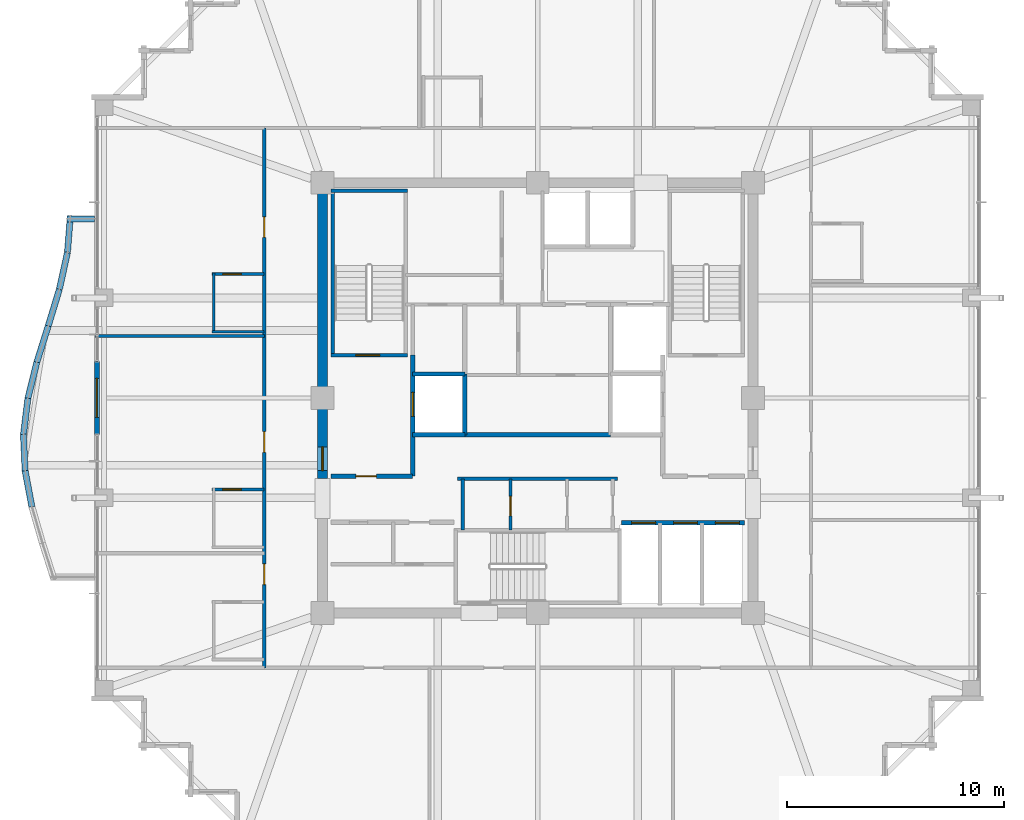
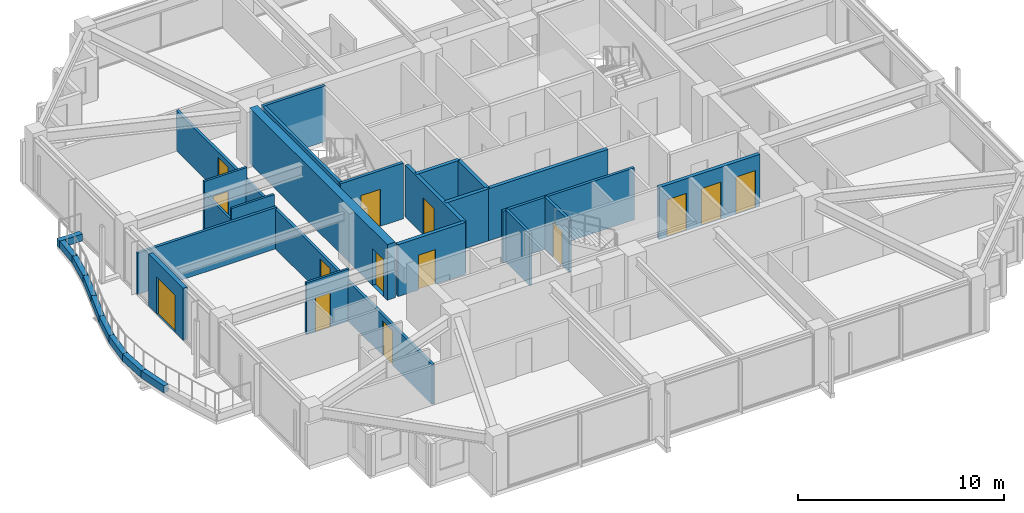
# One storey, part 28 of 33: 30 walls, 14 doors, 14 openings.
"""IFC4 building model written with IfcOpenShell, lengths in metres."""

import ifcopenshell
import ifcopenshell.guid

model = None  # the IFC model being written
_history = None  # IfcOwnerHistory: only IFC2X3 demands one
_inside = {}  # id of a spatial element -> (the spatial element, [elements in it])
_under = {}  # id of a project, library or spatial element -> (it, [spatial elements below it])
_declared = {}  # id of a project -> (the project, [libraries it declares])
_typed = {}  # id of a type object -> (the type object, [elements of that type])
_made_of = {}  # id of a material, layer set ... -> (it, [elements and type objects made of it])


def new_model(schema):
    """Start an empty IFC model of exactly this schema.

    Asked for "IFC4X3", IfcOpenShell would pick the latest addendum, in which some entities
    have other attributes; the version numbers below select the first issue.
    IFC2X3 requires an IfcOwnerHistory on every rooted entity: one is made here for all.
    """
    global model, _history
    if schema == "IFC4X3":
        model = ifcopenshell.file(schema_version=(4, 3, 0, 0))
    else:
        model = ifcopenshell.file(schema=schema)
    _inside.clear()
    _under.clear()
    _declared.clear()
    _typed.clear()
    _made_of.clear()
    _history = None
    if model.schema == "IFC2X3":
        org = make("IfcOrganization", Name="unknown")
        user = make(
            "IfcPersonAndOrganization",
            ThePerson=make("IfcPerson", FamilyName="unknown"),
            TheOrganization=org,
        )
        app = make(
            "IfcApplication",
            ApplicationDeveloper=org,
            Version="unknown",
            ApplicationFullName="unknown",
            ApplicationIdentifier="unknown",
        )
        _history = make(
            "IfcOwnerHistory",
            OwningUser=user,
            OwningApplication=app,
            ChangeAction="ADDED",
            CreationDate=0,
        )
    return model


def make(cls, **values):
    """One entity of the class cls with the attributes given. An attribute that is None is left unset."""
    return model.create_entity(
        cls, **{name: value for name, value in values.items() if value is not None}
    )


def rooted(cls, **values):
    """An entity with a GlobalId (a new one), such as an element, a storey or a relation."""
    return make(cls, GlobalId=ifcopenshell.guid.new(), OwnerHistory=_history, **values)


def si_unit(unit_type, name, prefix=None):
    """IfcSIUnit, for example si_unit("LENGTHUNIT", "METRE", prefix="MILLI")."""
    return make("IfcSIUnit", UnitType=unit_type, Prefix=prefix, Name=name)


def assignment(units):
    """IfcUnitAssignment: the units of a project."""
    return None if units is None else make("IfcUnitAssignment", Units=units)


def point(xyz):
    """IfcCartesianPoint."""
    return None if xyz is None else make("IfcCartesianPoint", Coordinates=xyz)


def direction(xyz):
    """IfcDirection."""
    return None if xyz is None else make("IfcDirection", DirectionRatios=xyz)


def frame(location, z_axis=None, x_axis=None):
    """IfcAxis2Placement3D, a coordinate frame: its origin and axes. An axis left out is left unset."""
    return make(
        "IfcAxis2Placement3D",
        Location=point(location),
        Axis=direction(z_axis),
        RefDirection=direction(x_axis),
    )


def frame_2d(location, x_axis=None):
    """IfcAxis2Placement2D, a coordinate frame in the plane: its origin and x axis."""
    return make(
        "IfcAxis2Placement2D", Location=point(location), RefDirection=direction(x_axis)
    )


def origin():
    """The frame at (0, 0, 0) with its axes left unset."""
    return frame((0.0, 0.0, 0.0))


def place(relative_to, where):
    """IfcLocalPlacement: puts the frame where relative to a parent placement (None: the world)."""
    return make(
        "IfcLocalPlacement", PlacementRelTo=relative_to, RelativePlacement=where
    )


def context(
    kind, dimensions, precision=None, world=None, true_north=None, identifier=None
):
    """IfcGeometricRepresentationContext, for example the 3D "Model" context."""
    return make(
        "IfcGeometricRepresentationContext",
        ContextIdentifier=identifier,
        ContextType=kind,
        CoordinateSpaceDimension=dimensions,
        Precision=precision,
        WorldCoordinateSystem=world,
        TrueNorth=true_north,
    )


def subcontext(parent, identifier, kind, view, scale=None):
    """IfcGeometricRepresentationSubContext, for example "Body" below "Model"."""
    return make(
        "IfcGeometricRepresentationSubContext",
        ContextIdentifier=identifier,
        ContextType=kind,
        ParentContext=parent,
        TargetScale=scale,
        TargetView=view,
    )


def project(units=None, contexts=None):
    """IfcProject with its units and contexts."""
    return rooted(
        "IfcProject",
        Name="project",
        RepresentationContexts=contexts,
        UnitsInContext=assignment(units),
    )


def spatial(cls, under=None, at=None, **own):
    """A site, building, storey or space (cls), placed at a placement, below another one or the project."""
    s = rooted(cls, ObjectPlacement=at, **own)
    if under is not None:
        _under.setdefault(under.id(), (under, []))[1].append(s)
    return s


def profile(cls, at=None, kind="AREA", **sizes):
    """A parametric profile (cls). Its sizes go by their IFC names, for example OverallWidth=200.0."""
    return make(cls, ProfileType=kind, Position=at, **sizes)


def rectangle(**sizes):
    """IfcRectangleProfileDef."""
    return profile("IfcRectangleProfileDef", **sizes)


def extrude(swept, where, along, depth):
    """IfcExtrudedAreaSolid: the profile swept, set in the frame where, extruded along a direction by depth."""
    return make(
        "IfcExtrudedAreaSolid",
        SweptArea=swept,
        Position=where,
        ExtrudedDirection=direction(along),
        Depth=depth,
    )


def shape(context_of_items, identifier, shape_type, items):
    """IfcShapeRepresentation: the items that make up one representation, for example the "Body"."""
    return make(
        "IfcShapeRepresentation",
        ContextOfItems=context_of_items,
        RepresentationIdentifier=identifier,
        RepresentationType=shape_type,
        Items=items,
    )


def material(Name=None, Category=None):
    """IfcMaterial."""
    return make("IfcMaterial", Name=Name, Category=Category)


def layer(
    of_material, thickness, ventilated=None, Name=None, Category=None, Priority=None
):
    """IfcMaterialLayer: one layer of a wall or slab, of a material (None: an air gap)."""
    return make(
        "IfcMaterialLayer",
        Material=of_material,
        LayerThickness=thickness,
        IsVentilated=ventilated,
        Name=Name,
        Category=Category,
        Priority=Priority,
    )


def layer_set(layers, Name=None):
    """IfcMaterialLayerSet."""
    return make("IfcMaterialLayerSet", MaterialLayers=layers, LayerSetName=Name)


def made_of(thing, what):
    """Note that an element or type object is made of a material, layer set ...; save() writes the relation."""
    if what is not None:
        _made_of.setdefault(what.id(), (what, []))[1].append(thing)
    return thing


def type_object(cls, material=None, **own):
    """A type object (cls), such as IfcWallType, which elements share."""
    return made_of(rooted(cls, **own), material)


def element(
    cls,
    number,
    at=None,
    inside=None,
    cuts=None,
    type_object=None,
    material=None,
    context=None,
    identifier="Body",
    shape_type=None,
    held_by="IfcProductDefinitionShape",
    body=None,
    shapes=None,
    **own,
):
    """One element of the class cls, such as IfcWall. Its Tag is "e" and its number.

    at: its placement. inside: the storey or other place that contains it. cuts: it is an
    opening in that element (IfcRelVoidsElement). A single representation is given by context,
    identifier, shape_type and body (its items); several are given by shapes. held_by: the class
    of the entity that holds the representations. save() writes the other relations.
    """
    e = rooted(cls, Tag="e%d" % number, ObjectPlacement=at, **own)
    if body is not None:
        shapes = [shape(context, identifier, shape_type, body)]
    if shapes is not None:
        e.Representation = make(held_by, Representations=shapes)
    if inside is not None:
        _inside.setdefault(inside.id(), (inside, []))[1].append(e)
    if cuts is not None:
        rooted(
            "IfcRelVoidsElement", RelatingBuildingElement=cuts, RelatedOpeningElement=e
        )
    if type_object is not None:
        _typed.setdefault(type_object.id(), (type_object, []))[1].append(e)
    return made_of(e, material)


def fill(opening, filler):
    """IfcRelFillsElement: the door or window that sits in an opening."""
    return rooted(
        "IfcRelFillsElement",
        RelatingOpeningElement=opening,
        RelatedBuildingElement=filler,
    )


def aggregate(whole, parts):
    """IfcRelAggregates: a whole, such as a stair, and the parts it consists of."""
    return rooted("IfcRelAggregates", RelatingObject=whole, RelatedObjects=parts)


def save(model, path):
    """Write the relations noted so far, then the file.

    IfcRelAggregates (storeys below a building ...), IfcRelContainedInSpatialStructure (elements
    in a storey), IfcRelDefinesByType, IfcRelAssociatesMaterial and IfcRelDeclares: one each for
    every whole, place, type object, material and project.
    """
    for whole, parts in _under.values():
        aggregate(whole, parts)
    for where, things in _inside.values():
        rooted(
            "IfcRelContainedInSpatialStructure",
            RelatedElements=things,
            RelatingStructure=where,
        )
    for kind, things in _typed.values():
        rooted("IfcRelDefinesByType", RelatedObjects=things, RelatingType=kind)
    for what, things in _made_of.values():
        rooted("IfcRelAssociatesMaterial", RelatedObjects=things, RelatingMaterial=what)
    for by, libraries in _declared.values():
        rooted("IfcRelDeclares", RelatingContext=by, RelatedDefinitions=libraries)
    model.write(path)


model = new_model("IFC4")

# Units and contexts
model_context = context("Model", 3, precision=1e-05, world=origin(), true_north=direction((0.0, 1.0)))
body_context = subcontext(model_context, "Body", "Model", "MODEL_VIEW")
ifc_project = project(units=[si_unit("LENGTHUNIT", "METRE"), si_unit("AREAUNIT", "SQUARE_METRE"), si_unit("VOLUMEUNIT", "CUBIC_METRE"), si_unit("PLANEANGLEUNIT", "RADIAN"), si_unit("MASSUNIT", "GRAM", prefix="KILO")], contexts=[model_context])

# Site, building, storey
site_placement = place(None, origin())
site = spatial("IfcSite", under=ifc_project, at=site_placement, CompositionType="ELEMENT")
building_placement = place(site_placement, origin())
building = spatial("IfcBuilding", under=site, at=building_placement, Name="Kolvaren Belvedere", CompositionType="ELEMENT")
storey_placement = place(building_placement, frame((0.0, 0.0, 209.699951171875)))
storey = spatial("IfcBuildingStorey", under=building, at=storey_placement, Name="L61", CompositionType="ELEMENT", Elevation=209.699951171875)

# Wall, opening, door
ifc_material_1 = material(Name="Concrete C50/60", Category="concrete")
ifc_layer_1 = layer(ifc_material_1, 0.449951171875)
ifc_layer_set_1 = layer_set([ifc_layer_1], Name="Concrete C50/60")
wall_type_1 = type_object("IfcWallType", Name="CW-CORE-450", PredefinedType="SHEAR", material=ifc_layer_set_1)
wall_1_placement = place(storey_placement, frame((-9.89990234375, -3.699951171875, 0.0), z_axis=(0.0, 0.0, 1.0), x_axis=(0.0, 1.0, 0.0)))
wall_1 = element("IfcWall", 1, at=wall_1_placement, inside=storey, type_object=wall_type_1, Name="L61 West Core Shear Wall 2", PredefinedType="SHEAR", context=body_context, shape_type="SweptSolid", body=[
    extrude(rectangle(XDim=13.375, YDim=0.449951171875, at=frame_2d((6.6875, 0.0))), origin(), (0.0, 0.0, 1.0), 3.300048828125),
])
opening_1_placement = place(wall_1_placement, frame((0.35009765625, 0.0, 0.0)))
opening_1 = element("IfcOpeningElement", 2, at=opening_1_placement, cuts=wall_1, Name="Opening D-FD90", PredefinedType="OPENING", context=body_context, shape_type="SweptSolid", body=[
    extrude(rectangle(XDim=1.10009765625, YDim=2.199951171875, at=frame_2d((0.550048828125, 1.10009765625))), frame((0.0, 0.23486328125, 0.0), z_axis=(0.0, -1.0, 0.0), x_axis=(1.0, 0.0, 0.0)), (0.0, 0.0, 1.0), 0.469970703125),
])
ifc_material_2 = material(Name="Painted hollow stainless steel", Category="steel")
door_type_1 = type_object("IfcDoorType", Name="DR-FD90-1100", OperationType="NOTDEFINED", PredefinedType="DOOR", material=ifc_material_2)
door_1_placement = place(opening_1_placement, origin())
door_1 = element("IfcDoor", 3, at=door_1_placement, inside=storey, type_object=door_type_1, Name="L61 West Firefighting Lobby Fire Door", OperationType="SINGLE_SWING_LEFT", OverallHeight=2.199951171875, OverallWidth=1.10009765625, PredefinedType="DOOR", context=body_context, shape_type="SweptSolid", body=[
    extrude(rectangle(XDim=1.10009765625, YDim=2.199951171875, at=frame_2d((0.550048828125, 1.10009765625))), frame((0.0, 0.02490234375, 0.0), z_axis=(0.0, -1.0, 0.0), x_axis=(1.0, 0.0, 0.0)), (0.0, 0.0, 1.0), 0.050048828125),
])
fill(opening_1, door_1)

ifc_material_3 = material(Name="Concrete C50/60", Category="concrete")
ifc_layer_2 = layer(ifc_material_3, 0.159912109375)
ifc_layer_set_2 = layer_set([ifc_layer_2], Name="Concrete C50/60")
wall_type_2 = type_object("IfcWallType", Name="CW-STAIR-160", PredefinedType="SHEAR", material=ifc_layer_set_2)
wall_2_placement = place(storey_placement, frame((-9.52001953125, 1.969970703125, 0.0), z_axis=(0.0, 0.0, 1.0), x_axis=(1.0, 0.0, 0.0)))
wall_2 = element("IfcWall", 4, at=wall_2_placement, inside=storey, type_object=wall_type_2, Name="L61 Stair ST-1 South Shear Wall", PredefinedType="SHEAR", context=body_context, shape_type="SweptSolid", body=[
    extrude(rectangle(XDim=3.52001953125, YDim=0.159912109375, at=frame_2d((1.760009765625, 0.0))), origin(), (0.0, 0.0, 1.0), 3.300048828125),
])
opening_2_placement = place(wall_2_placement, frame((1.14990234375, 0.0, 0.0)))
opening_2 = element("IfcOpeningElement", 5, at=opening_2_placement, cuts=wall_2, Name="Opening D-FD90", PredefinedType="OPENING", context=body_context, shape_type="SweptSolid", body=[
    extrude(rectangle(XDim=1.10009765625, YDim=2.199951171875, at=frame_2d((0.550048828125, 1.10009765625))), frame((0.0, 0.08984375, 0.0), z_axis=(0.0, -1.0, 0.0), x_axis=(1.0, 0.0, 0.0)), (0.0, 0.0, 1.0), 0.179931640625),
])
door_2_placement = place(opening_2_placement, origin())
door_2 = element("IfcDoor", 6, at=door_2_placement, inside=storey, type_object=door_type_1, Name="L61 Stair ST-1 Fire Door", OperationType="SINGLE_SWING_LEFT", OverallHeight=2.199951171875, OverallWidth=1.10009765625, PredefinedType="DOOR", context=body_context, shape_type="SweptSolid", body=[
    extrude(rectangle(XDim=1.10009765625, YDim=2.199951171875, at=frame_2d((0.550048828125, 1.10009765625))), frame((0.0, 0.02490234375, 0.0), z_axis=(0.0, -1.0, 0.0), x_axis=(1.0, 0.0, 0.0)), (0.0, 0.0, 1.0), 0.050048828125),
])
fill(opening_2, door_2)

# Walls
wall_3_placement = place(storey_placement, frame((-9.52001953125, 9.530029296875, 0.0), z_axis=(0.0, 0.0, 1.0), x_axis=(1.0, 0.0, 0.0)))
element("IfcWall", 7, at=wall_3_placement, inside=storey, type_object=wall_type_2, Name="L61 Stair ST-1 North Shear Wall", PredefinedType="SHEAR", context=body_context, shape_type="SweptSolid", body=[
    extrude(rectangle(XDim=3.52001953125, YDim=0.159912109375, at=frame_2d((1.760009765625, 0.0))), origin(), (0.0, 0.0, 1.0), 3.300048828125),
])
wall_4_placement = place(storey_placement, frame((-9.429931640625, 1.969970703125, 0.0), z_axis=(0.0, 0.0, 1.0), x_axis=(0.0, 1.0, 0.0)))
element("IfcWall", 8, at=wall_4_placement, inside=storey, type_object=wall_type_2, Name="L61 Stair ST-1 West Shear Wall", PredefinedType="SHEAR", context=body_context, shape_type="SweptSolid", body=[
    extrude(rectangle(XDim=7.56005859375, YDim=0.159912109375, at=frame_2d((3.780029296875, 0.0))), origin(), (0.0, 0.0, 1.0), 3.300048828125),
])

# Wall, openings, doors
ifc_material_4 = material(Name="Gypsum fire-rated partition assembly", Category="gypsum")
ifc_layer_3 = layer(ifc_material_4, 0.14990234375)
ifc_layer_set_3 = layer_set([ifc_layer_3], Name="Gypsum fire-rated partition assembly")
wall_type_3 = type_object("IfcWallType", Name="WL-CORR-150", PredefinedType="PARTITIONING", material=ifc_layer_set_3)
wall_5_placement = place(storey_placement, frame((-12.580078125, -12.419921875, 0.0), z_axis=(0.0, 0.0, 1.0), x_axis=(0.0, 1.0, 0.0)))
wall_5 = element("IfcWall", 9, at=wall_5_placement, inside=storey, type_object=wall_type_3, Name="L61 West Corridor Wall", PredefinedType="PARTITIONING", context=body_context, shape_type="SweptSolid", body=[
    extrude(rectangle(XDim=24.83984375, YDim=0.14990234375, at=frame_2d((12.419921875, 0.0))), origin(), (0.0, 0.0, 1.0), 2.369140625),
])
opening_3_placement = place(wall_5_placement, frame((3.831298828125, 0.0, 0.0)))
opening_3 = element("IfcOpeningElement", 10, at=opening_3_placement, cuts=wall_5, Name="Opening D-FD60", PredefinedType="OPENING", context=body_context, shape_type="SweptSolid", body=[
    extrude(rectangle(XDim=0.949951171875, YDim=2.06005859375, at=frame_2d((0.47509765625, 1.030029296875))), frame((0.0, 0.0849609375, 0.0), z_axis=(0.0, -1.0, 0.0), x_axis=(1.0, 0.0, 0.0)), (0.0, 0.0, 1.0), 0.169921875),
])
opening_4_placement = place(wall_5_placement, frame((9.9150390625, 0.0, 0.0)))
opening_4 = element("IfcOpeningElement", 11, at=opening_4_placement, cuts=wall_5, Name="Opening D-FD60", PredefinedType="OPENING", context=body_context, shape_type="SweptSolid", body=[
    extrude(rectangle(XDim=0.949951171875, YDim=2.06005859375, at=frame_2d((0.47509765625, 1.030029296875))), frame((0.0, 0.0849609375, 0.0), z_axis=(0.0, -1.0, 0.0), x_axis=(1.0, 0.0, 0.0)), (0.0, 0.0, 1.0), 0.169921875),
])
opening_5_placement = place(wall_5_placement, frame((19.803466796875, 0.0, 0.0)))
opening_5 = element("IfcOpeningElement", 12, at=opening_5_placement, cuts=wall_5, Name="Opening D-FD60", PredefinedType="OPENING", context=body_context, shape_type="SweptSolid", body=[
    extrude(rectangle(XDim=0.949951171875, YDim=2.06005859375, at=frame_2d((0.47509765625, 1.030029296875))), frame((0.0, 0.0849609375, 0.0), z_axis=(0.0, -1.0, 0.0), x_axis=(1.0, 0.0, 0.0)), (0.0, 0.0, 1.0), 0.169921875),
])
ifc_material_5 = material(Name="Acoustic white-oak fire door leaf", Category="timber")
door_type_2 = type_object("IfcDoorType", Name="DR-FD60-950", OperationType="NOTDEFINED", PredefinedType="DOOR", material=ifc_material_5)
door_3_placement = place(opening_3_placement, origin())
door_3 = element("IfcDoor", 13, at=door_3_placement, inside=storey, type_object=door_type_2, Name="L61 Botanical Hospitality Suite 6107 Entry Door", OperationType="SINGLE_SWING_RIGHT", OverallHeight=2.06005859375, OverallWidth=0.949951171875, PredefinedType="DOOR", context=body_context, shape_type="SweptSolid", body=[
    extrude(rectangle(XDim=0.949951171875, YDim=2.06005859375, at=frame_2d((0.47509765625, 1.030029296875))), frame((0.0, 0.02490234375, 0.0), z_axis=(0.0, -1.0, 0.0), x_axis=(1.0, 0.0, 0.0)), (0.0, 0.0, 1.0), 0.050048828125),
])
fill(opening_3, door_3)
door_4_placement = place(opening_4_placement, origin())
door_4 = element("IfcDoor", 14, at=door_4_placement, inside=storey, type_object=door_type_2, Name="L61 King Guest Room 6108 Entry Door", OperationType="SINGLE_SWING_RIGHT", OverallHeight=2.06005859375, OverallWidth=0.949951171875, PredefinedType="DOOR", context=body_context, shape_type="SweptSolid", body=[
    extrude(rectangle(XDim=0.949951171875, YDim=2.06005859375, at=frame_2d((0.47509765625, 1.030029296875))), frame((0.0, 0.02490234375, 0.0), z_axis=(0.0, -1.0, 0.0), x_axis=(1.0, 0.0, 0.0)), (0.0, 0.0, 1.0), 0.050048828125),
])
fill(opening_4, door_4)
door_5_placement = place(opening_5_placement, origin())
door_5 = element("IfcDoor", 15, at=door_5_placement, inside=storey, type_object=door_type_2, Name="L61 Botanical Hospitality Suite 6109 Entry Door", OperationType="SINGLE_SWING_RIGHT", OverallHeight=2.06005859375, OverallWidth=0.949951171875, PredefinedType="DOOR", context=body_context, shape_type="SweptSolid", body=[
    extrude(rectangle(XDim=0.949951171875, YDim=2.06005859375, at=frame_2d((0.47509765625, 1.030029296875))), frame((0.0, 0.02490234375, 0.0), z_axis=(0.0, -1.0, 0.0), x_axis=(1.0, 0.0, 0.0)), (0.0, 0.0, 1.0), 0.050048828125),
])
fill(opening_5, door_5)

# Wall, opening, door
ifc_material_6 = material(Name="Insulated pale-metal facade wall assembly", Category="aluminium")
ifc_layer_4 = layer(ifc_material_6, 0.239990234375)
ifc_layer_set_4 = layer_set([ifc_layer_4], Name="Insulated pale-metal facade wall assembly")
wall_type_4 = type_object("IfcWallType", Name="WL-EXT-240", PredefinedType="STANDARD", material=ifc_layer_set_4)
wall_6_placement = place(storey_placement, frame((-20.280029296875, -1.679931640625, 0.0), z_axis=(0.0, 0.0, 1.0), x_axis=(0.0, 1.0, 0.0)))
wall_6 = element("IfcWall", 16, at=wall_6_placement, inside=storey, type_object=wall_type_4, Name="L61 West Terrace Portal Wall", PredefinedType="STANDARD", context=body_context, shape_type="SweptSolid", body=[
    extrude(rectangle(XDim=3.35986328125, YDim=0.239990234375, at=frame_2d((1.679931640625, 0.0))), origin(), (0.0, 0.0, 1.0), 3.080078125),
])
opening_6_placement = place(wall_6_placement, frame((0.780029296875, 0.0, 0.0)))
opening_6 = element("IfcOpeningElement", 17, at=opening_6_placement, cuts=wall_6, Name="Opening DB-1800", PredefinedType="OPENING", context=body_context, shape_type="SweptSolid", body=[
    extrude(rectangle(XDim=1.800048828125, YDim=2.199951171875, at=frame_2d((0.89990234375, 1.10009765625))), frame((0.0, 0.1298828125, 0.0), z_axis=(0.0, -1.0, 0.0), x_axis=(1.0, 0.0, 0.0)), (0.0, 0.0, 1.0), 0.260009765625),
])
ifc_material_7 = material(Name="Thermally broken pale-metal aluminium & low-iron glass", Category="aluminium")
door_type_3 = type_object("IfcDoorType", Name="DR-BAL-1800", OperationType="DOUBLE_DOOR_SLIDING", PredefinedType="DOOR", material=ifc_material_7)
door_6_placement = place(opening_6_placement, origin())
door_6 = element("IfcDoor", 18, at=door_6_placement, inside=storey, type_object=door_type_3, Name="L61 West Planted Terrace Sliding Door", OperationType="DOUBLE_DOOR_SLIDING", OverallHeight=2.199951171875, OverallWidth=1.800048828125, PredefinedType="DOOR", context=body_context, shape_type="SweptSolid", body=[
    extrude(rectangle(XDim=1.800048828125, YDim=2.199951171875, at=frame_2d((0.89990234375, 1.10009765625))), frame((0.0, 0.02490234375, 0.0), z_axis=(0.0, -1.0, 0.0), x_axis=(1.0, 0.0, 0.0)), (0.0, 0.0, 1.0), 0.050048828125),
])
fill(opening_6, door_6)

# Walls
ifc_material_8 = material(Name="Gypsum acoustic partition assembly", Category="gypsum")
ifc_layer_5 = layer(ifc_material_8, 0.14990234375)
ifc_layer_set_5 = layer_set([ifc_layer_5], Name="Gypsum acoustic partition assembly")
wall_type_5 = type_object("IfcWallType", Name="WL-PART-150", PredefinedType="PARTITIONING", material=ifc_layer_set_5)
wall_7_placement = place(storey_placement, frame((-3.679931640625, -3.719970703125, 0.0), z_axis=(0.0, 0.0, 1.0), x_axis=(1.0, 0.0, 0.0)))
element("IfcWall", 19, at=wall_7_placement, inside=storey, type_object=wall_type_5, Name="L61 South Core Service North Wall", PredefinedType="PARTITIONING", context=body_context, shape_type="SweptSolid", body=[
    extrude(rectangle(XDim=7.35986328125, YDim=0.14990234375, at=frame_2d((3.679931640625, 0.0))), origin(), (0.0, 0.0, 1.0), 3.080078125),
])
wall_8_placement = place(storey_placement, frame((-3.449951171875, -6.080078125, 0.0), z_axis=(0.0, 0.0, 1.0), x_axis=(0.0, 1.0, 0.0)))
element("IfcWall", 20, at=wall_8_placement, inside=storey, type_object=wall_type_5, Name="L61 South Core Service West Wall", PredefinedType="PARTITIONING", context=body_context, shape_type="SweptSolid", body=[
    extrude(rectangle(XDim=2.360107421875, YDim=0.14990234375, at=frame_2d((1.18017578125, 0.0))), origin(), (0.0, 0.0, 1.0), 3.080078125),
])

# Wall, opening, door
wall_9_placement = place(storey_placement, frame((-1.25, -6.080078125, 0.0), z_axis=(0.0, 0.0, 1.0), x_axis=(0.0, 1.0, 0.0)))
wall_9 = element("IfcWall", 21, at=wall_9_placement, inside=storey, type_object=wall_type_5, Name="L61 Core Service Divider 2", PredefinedType="PARTITIONING", context=body_context, shape_type="SweptSolid", body=[
    extrude(rectangle(XDim=2.360107421875, YDim=0.14990234375, at=frame_2d((1.18017578125, 0.0))), origin(), (0.0, 0.0, 1.0), 3.080078125),
])
opening_7_placement = place(wall_9_placement, frame((0.64990234375, 0.0, 0.0)))
opening_7 = element("IfcOpeningElement", 22, at=opening_7_placement, cuts=wall_9, Name="Opening D-INT90", PredefinedType="OPENING", context=body_context, shape_type="SweptSolid", body=[
    extrude(rectangle(XDim=0.89990234375, YDim=2.06005859375, at=frame_2d((0.449951171875, 1.030029296875))), frame((0.0, 0.0849609375, 0.0), z_axis=(0.0, -1.0, 0.0), x_axis=(1.0, 0.0, 0.0)), (0.0, 0.0, 1.0), 0.169921875),
])
ifc_material_9 = material(Name="Stained Pacific white oak", Category="timber")
door_type_4 = type_object("IfcDoorType", Name="DR-INT-900", OperationType="NOTDEFINED", PredefinedType="DOOR", material=ifc_material_9)
door_7_placement = place(opening_7_placement, origin())
door_7 = element("IfcDoor", 23, at=door_7_placement, inside=storey, type_object=door_type_4, Name="L61 Janitor Room Door", OperationType="SINGLE_SWING_LEFT", OverallHeight=2.06005859375, OverallWidth=0.89990234375, PredefinedType="DOOR", context=body_context, shape_type="SweptSolid", body=[
    extrude(rectangle(XDim=0.89990234375, YDim=2.06005859375, at=frame_2d((0.449951171875, 1.030029296875))), frame((0.0, 0.02490234375, 0.0), z_axis=(0.0, -1.0, 0.0), x_axis=(1.0, 0.0, 0.0)), (0.0, 0.0, 1.0), 0.050048828125),
])
fill(opening_7, door_7)

# Walls
wall_10_placement = place(storey_placement, frame((-20.3798828125, 2.85205078125, 0.0), z_axis=(0.0, 0.0, 1.0), x_axis=(1.0, 0.0, 0.0)))
element("IfcWall", 24, at=wall_10_placement, inside=storey, type_object=wall_type_5, Name="L61 West Suite Demising Wall 2", PredefinedType="PARTITIONING", context=body_context, shape_type="SweptSolid", body=[
    extrude(rectangle(XDim=7.7998046875, YDim=0.14990234375, at=frame_2d((3.89990234375, 0.0))), origin(), (0.0, 0.0, 1.0), 2.453125),
])
ifc_material_10 = material(Name="Precast concrete C40/50", Category="concrete")
ifc_layer_6 = layer(ifc_material_10, 0.300048828125)
ifc_layer_set_6 = layer_set([ifc_layer_6], Name="Precast concrete C40/50")
wall_type_6 = type_object("IfcWallType", Name="WL-PLANTER-300", PredefinedType="PARAPET", material=ifc_layer_set_6)
wall_11_placement = place(storey_placement, frame((-21.50048828125, 8.38720703125, -0.0400390625), z_axis=(0.0, 0.0, 1.0), x_axis=(-0.079244268248, -0.99685522818, 0.0)))
element("IfcWall", 25, at=wall_11_placement, inside=storey, type_object=wall_type_6, Name="L61 Precast Structural Planter Wall BAL-W-1", PredefinedType="PARAPET", context=body_context, shape_type="SweptSolid", body=[
    extrude(rectangle(XDim=1.685302734375, YDim=0.280029296875, at=frame_2d((0.8427734375, 0.0))), origin(), (0.0, 0.0, 1.0), 0.420166015625),
])
wall_12_placement = place(storey_placement, frame((-21.63720703125, 6.685791015625, -0.0400390625), z_axis=(0.0, 0.0, 1.0), x_axis=(-0.213802724545, -0.976876857632, 0.0)))
element("IfcWall", 26, at=wall_12_placement, inside=storey, type_object=wall_type_6, Name="L61 Precast Structural Planter Wall BAL-W-2", PredefinedType="PARAPET", context=body_context, shape_type="SweptSolid", body=[
    extrude(rectangle(XDim=1.7197265625, YDim=0.280029296875, at=frame_2d((0.85986328125, 0.0))), origin(), (0.0, 0.0, 1.0), 0.420166015625),
])
wall_13_placement = place(storey_placement, frame((-22.00830078125, 4.993408203125, -0.0400390625), z_axis=(0.0, 0.0, 1.0), x_axis=(-0.290879426191, -0.956759718748, 0.0)))
element("IfcWall", 27, at=wall_13_placement, inside=storey, type_object=wall_type_6, Name="L61 Precast Structural Planter Wall BAL-W-3", PredefinedType="PARAPET", context=body_context, shape_type="SweptSolid", body=[
    extrude(rectangle(XDim=1.755859375, YDim=0.280029296875, at=frame_2d((0.8779296875, 0.0))), origin(), (0.0, 0.0, 1.0), 0.420166015625),
])
wall_14_placement = place(storey_placement, frame((-22.51953125, 3.31201171875, -0.0400390625), z_axis=(0.0, 0.0, 1.0), x_axis=(-0.299624691176, -0.954057149461, 0.0)))
element("IfcWall", 28, at=wall_14_placement, inside=storey, type_object=wall_type_6, Name="L61 Precast Structural Planter Wall BAL-W-4", PredefinedType="PARAPET", context=body_context, shape_type="SweptSolid", body=[
    extrude(rectangle(XDim=1.7607421875, YDim=0.280029296875, at=frame_2d((0.88037109375, 0.0))), origin(), (0.0, 0.0, 1.0), 0.420166015625),
])
wall_15_placement = place(storey_placement, frame((-23.04443359375, 1.6416015625, -0.0400390625), z_axis=(0.0, 0.0, 1.0), x_axis=(-0.239180748277, -0.970975061293, 0.0)))
element("IfcWall", 29, at=wall_15_placement, inside=storey, type_object=wall_type_6, Name="L61 Precast Structural Planter Wall BAL-W-5", PredefinedType="PARAPET", context=body_context, shape_type="SweptSolid", body=[
    extrude(rectangle(XDim=1.730224609375, YDim=0.280029296875, at=frame_2d((0.865234375, 0.0))), origin(), (0.0, 0.0, 1.0), 0.420166015625),
])
wall_16_placement = place(storey_placement, frame((-23.454833984375, -0.01953125, -0.0400390625), z_axis=(0.0, 0.0, 1.0), x_axis=(-0.121886315522, -0.99254406758, 0.0)))
element("IfcWall", 30, at=wall_16_placement, inside=storey, type_object=wall_type_6, Name="L61 Precast Structural Planter Wall BAL-W-6", PredefinedType="PARAPET", context=body_context, shape_type="SweptSolid", body=[
    extrude(rectangle(XDim=1.692626953125, YDim=0.280029296875, at=frame_2d((0.84619140625, 0.0))), origin(), (0.0, 0.0, 1.0), 0.420166015625),
])
wall_17_placement = place(storey_placement, frame((-23.66015625, -1.6728515625, -0.0400390625), z_axis=(0.0, 0.0, 1.0), x_axis=(0.045005941428, -0.998986719249, 0.0)))
element("IfcWall", 31, at=wall_17_placement, inside=storey, type_object=wall_type_6, Name="L61 Precast Structural Planter Wall BAL-W-7", PredefinedType="PARAPET", context=body_context, shape_type="SweptSolid", body=[
    extrude(rectangle(XDim=1.681640625, YDim=0.280029296875, at=frame_2d((0.8408203125, 0.0))), origin(), (0.0, 0.0, 1.0), 0.420166015625),
])
wall_18_placement = place(storey_placement, frame((-23.5869140625, -3.330322265625, -0.0400390625), z_axis=(0.0, 0.0, 1.0), x_axis=(0.184650661912, -0.982804219087, 0.0)))
element("IfcWall", 32, at=wall_18_placement, inside=storey, type_object=wall_type_6, Name="L61 Precast Structural Planter Wall BAL-W-8", PredefinedType="PARAPET", context=body_context, shape_type="SweptSolid", body=[
    extrude(rectangle(XDim=1.70947265625, YDim=0.280029296875, at=frame_2d((0.854736328125, 0.0))), origin(), (0.0, 0.0, 1.0), 0.420166015625),
])
wall_19_placement = place(storey_placement, frame((-20.39990234375, 8.239990234375, -0.0400390625), z_axis=(0.0, 0.0, 1.0), x_axis=(-1.0, 0.0, 0.0)))
element("IfcWall", 33, at=wall_19_placement, inside=storey, type_object=wall_type_6, Name="L61 Precast Structural Planter Wall BAL-W-22", PredefinedType="PARAPET", context=body_context, shape_type="SweptSolid", body=[
    extrude(rectangle(XDim=1.260009765625, YDim=0.280029296875, at=frame_2d((0.6298828125, 0.0))), origin(), (0.0, 0.0, 1.0), 0.420166015625),
])

# Wall, opening, door
ifc_material_11 = material(Name="Concrete C50/60", Category="concrete")
ifc_layer_7 = layer(ifc_material_11, 0.199951171875)
ifc_layer_set_7 = layer_set([ifc_layer_7], Name="Concrete C50/60")
wall_type_7 = type_object("IfcWallType", Name="WL-SHAFT-200", PredefinedType="SOLIDWALL", material=ifc_layer_set_7)
wall_20_placement = place(storey_placement, frame((-9.52001953125, -3.60009765625, 0.0), z_axis=(0.0, 0.0, 1.0), x_axis=(1.0, 0.0, 0.0)))
wall_20 = element("IfcWall", 34, at=wall_20_placement, inside=storey, type_object=wall_type_7, Name="L61 West FSAE Lobby South Wall", PredefinedType="SOLIDWALL", context=body_context, shape_type="SweptSolid", body=[
    extrude(rectangle(XDim=3.77001953125, YDim=0.199951171875, at=frame_2d((1.885009765625, 0.0))), origin(), (0.0, 0.0, 1.0), 3.080078125),
])
opening_8_placement = place(wall_20_placement, frame((1.14990234375, 0.0, 0.0)))
opening_8 = element("IfcOpeningElement", 35, at=opening_8_placement, cuts=wall_20, Name="Opening D-FD60", PredefinedType="OPENING", context=body_context, shape_type="SweptSolid", body=[
    extrude(rectangle(XDim=0.949951171875, YDim=2.06005859375, at=frame_2d((0.47509765625, 1.030029296875))), frame((0.0, 0.10986328125, 0.0), z_axis=(0.0, -1.0, 0.0), x_axis=(1.0, 0.0, 0.0)), (0.0, 0.0, 1.0), 0.219970703125),
])
door_8_placement = place(opening_8_placement, origin())
door_8 = element("IfcDoor", 36, at=door_8_placement, inside=storey, type_object=door_type_2, Name="L61 SW Lobby Fire Door", OperationType="SINGLE_SWING_LEFT", OverallHeight=2.06005859375, OverallWidth=0.949951171875, PredefinedType="DOOR", context=body_context, shape_type="SweptSolid", body=[
    extrude(rectangle(XDim=0.949951171875, YDim=2.06005859375, at=frame_2d((0.47509765625, 1.030029296875))), frame((0.0, 0.02490234375, 0.0), z_axis=(0.0, -1.0, 0.0), x_axis=(1.0, 0.0, 0.0)), (0.0, 0.0, 1.0), 0.050048828125),
])
fill(opening_8, door_8)

wall_21_placement = place(storey_placement, frame((-5.75, -3.60009765625, 0.0), z_axis=(0.0, 0.0, 1.0), x_axis=(0.0, 1.0, 0.0)))
wall_21 = element("IfcWall", 37, at=wall_21_placement, inside=storey, type_object=wall_type_7, Name="L61 FSAE FS1 Landing Wall", PredefinedType="SOLIDWALL", context=body_context, shape_type="SweptSolid", body=[
    extrude(rectangle(XDim=5.570068359375, YDim=0.199951171875, at=frame_2d((2.78515625, 0.0))), origin(), (0.0, 0.0, 1.0), 3.080078125),
])
opening_9_placement = place(wall_21_placement, frame((2.75, 0.0, 0.0)))
opening_9 = element("IfcOpeningElement", 38, at=opening_9_placement, cuts=wall_21, Name="Opening LD-11", PredefinedType="OPENING", context=body_context, shape_type="SweptSolid", body=[
    extrude(rectangle(XDim=1.10009765625, YDim=2.199951171875, at=frame_2d((0.550048828125, 1.10009765625))), frame((0.0, 0.10986328125, 0.0), z_axis=(0.0, -1.0, 0.0), x_axis=(1.0, 0.0, 0.0)), (0.0, 0.0, 1.0), 0.219970703125),
])
ifc_material_12 = material(Name="Brushed stainless steel", Category="steel")
door_type_5 = type_object("IfcDoorType", Name="DR-LIFT-1100", OperationType="DOUBLE_DOOR_SLIDING", PredefinedType="DOOR", material=ifc_material_12)
door_9_placement = place(opening_9_placement, origin())
door_9 = element("IfcDoor", 39, at=door_9_placement, inside=storey, type_object=door_type_5, Name="L61 Firefighting Lift FS1 Landing Door", OperationType="DOUBLE_DOOR_SLIDING", OverallHeight=2.199951171875, OverallWidth=1.10009765625, PredefinedType="DOOR", context=body_context, shape_type="SweptSolid", body=[
    extrude(rectangle(XDim=1.10009765625, YDim=2.199951171875, at=frame_2d((0.550048828125, 1.10009765625))), frame((0.0, 0.02490234375, 0.0), z_axis=(0.0, -1.0, 0.0), x_axis=(1.0, 0.0, 0.0)), (0.0, 0.0, 1.0), 0.050048828125),
])
fill(opening_9, door_9)

# Walls
wall_22_placement = place(storey_placement, frame((-3.35009765625, -1.699951171875, 0.0), z_axis=(0.0, 0.0, 1.0), x_axis=(0.0, 1.0, 0.0)))
element("IfcWall", 40, at=wall_22_placement, inside=storey, type_object=wall_type_7, Name="L61 FSAE FS1 Back Wall", PredefinedType="SOLIDWALL", context=body_context, shape_type="SweptSolid", body=[
    extrude(rectangle(XDim=2.800048828125, YDim=0.199951171875, at=frame_2d((1.39990234375, 0.0))), origin(), (0.0, 0.0, 1.0), 3.080078125),
])
for number, where, z_axis, x_axis, name in (
    (41, (-5.75, -1.699951171875, 0.0), (0.0, 0.0, 1.0), (1.0, 0.0, 0.0), "L61 FSAE FS1 South Wall"),
    (42, (-5.75, 1.10009765625, 0.0), (0.0, 0.0, 1.0), (1.0, 0.0, 0.0), "L61 FSAE FS1 North Wall"),
):
    element("IfcWall", number, at=place(storey_placement, frame(where, z_axis=z_axis, x_axis=x_axis)), inside=storey, type_object=wall_type_7, Name=name, PredefinedType="SOLIDWALL", context=body_context, shape_type="SweptSolid", body=[
        extrude(rectangle(XDim=2.39990234375, YDim=0.199951171875, at=frame_2d((1.199951171875, 0.0))), origin(), (0.0, 0.0, 1.0), 3.080078125),
    ])

# Wall, openings, doors
wall_23_placement = place(storey_placement, frame((3.860107421875, -5.75, 0.0), z_axis=(0.0, 0.0, 1.0), x_axis=(1.0, 0.0, 0.0)))
wall_23 = element("IfcWall", 43, at=wall_23_placement, inside=storey, type_object=wall_type_7, Name="L61 High-Rise Lift Bank Front Wall", PredefinedType="SOLIDWALL", context=body_context, shape_type="SweptSolid", body=[
    extrude(rectangle(XDim=5.659912109375, YDim=0.199951171875, at=frame_2d((2.830078125, 0.0))), origin(), (0.0, 0.0, 1.0), 3.080078125),
])
opening_10_placement = place(wall_23_placement, frame((0.4599609375, 0.0, 0.0)))
opening_10 = element("IfcOpeningElement", 44, at=opening_10_placement, cuts=wall_23, Name="Opening LD-11", PredefinedType="OPENING", context=body_context, shape_type="SweptSolid", body=[
    extrude(rectangle(XDim=1.10009765625, YDim=2.199951171875, at=frame_2d((0.550048828125, 1.10009765625))), frame((0.0, 0.10986328125, 0.0), z_axis=(0.0, -1.0, 0.0), x_axis=(1.0, 0.0, 0.0)), (0.0, 0.0, 1.0), 0.219970703125),
])
opening_11_placement = place(wall_23_placement, frame((2.389892578125, 0.0, 0.0)))
opening_11 = element("IfcOpeningElement", 45, at=opening_11_placement, cuts=wall_23, Name="Opening LD-11", PredefinedType="OPENING", context=body_context, shape_type="SweptSolid", body=[
    extrude(rectangle(XDim=1.10009765625, YDim=2.199951171875, at=frame_2d((0.550048828125, 1.10009765625))), frame((0.0, 0.10986328125, 0.0), z_axis=(0.0, -1.0, 0.0), x_axis=(1.0, 0.0, 0.0)), (0.0, 0.0, 1.0), 0.219970703125),
])
opening_12_placement = place(wall_23_placement, frame((4.320068359375, 0.0, 0.0)))
opening_12 = element("IfcOpeningElement", 46, at=opening_12_placement, cuts=wall_23, Name="Opening LD-11", PredefinedType="OPENING", context=body_context, shape_type="SweptSolid", body=[
    extrude(rectangle(XDim=1.10009765625, YDim=2.199951171875, at=frame_2d((0.550048828125, 1.10009765625))), frame((0.0, 0.10986328125, 0.0), z_axis=(0.0, -1.0, 0.0), x_axis=(1.0, 0.0, 0.0)), (0.0, 0.0, 1.0), 0.219970703125),
])
door_10_placement = place(opening_10_placement, origin())
door_10 = element("IfcDoor", 47, at=door_10_placement, inside=storey, type_object=door_type_5, Name="L61 Passenger Lift P7 Landing Door", OperationType="DOUBLE_DOOR_SLIDING", OverallHeight=2.199951171875, OverallWidth=1.10009765625, PredefinedType="DOOR", context=body_context, shape_type="SweptSolid", body=[
    extrude(rectangle(XDim=1.10009765625, YDim=2.199951171875, at=frame_2d((0.550048828125, 1.10009765625))), frame((0.0, 0.02490234375, 0.0), z_axis=(0.0, -1.0, 0.0), x_axis=(1.0, 0.0, 0.0)), (0.0, 0.0, 1.0), 0.050048828125),
])
fill(opening_10, door_10)
door_11_placement = place(opening_11_placement, origin())
door_11 = element("IfcDoor", 48, at=door_11_placement, inside=storey, type_object=door_type_5, Name="L61 Passenger Lift P8 Landing Door", OperationType="DOUBLE_DOOR_SLIDING", OverallHeight=2.199951171875, OverallWidth=1.10009765625, PredefinedType="DOOR", context=body_context, shape_type="SweptSolid", body=[
    extrude(rectangle(XDim=1.10009765625, YDim=2.199951171875, at=frame_2d((0.550048828125, 1.10009765625))), frame((0.0, 0.02490234375, 0.0), z_axis=(0.0, -1.0, 0.0), x_axis=(1.0, 0.0, 0.0)), (0.0, 0.0, 1.0), 0.050048828125),
])
fill(opening_11, door_11)
door_12_placement = place(opening_12_placement, origin())
door_12 = element("IfcDoor", 49, at=door_12_placement, inside=storey, type_object=door_type_5, Name="L61 Passenger Lift P9 Landing Door", OperationType="DOUBLE_DOOR_SLIDING", OverallHeight=2.199951171875, OverallWidth=1.10009765625, PredefinedType="DOOR", context=body_context, shape_type="SweptSolid", body=[
    extrude(rectangle(XDim=1.10009765625, YDim=2.199951171875, at=frame_2d((0.550048828125, 1.10009765625))), frame((0.0, 0.02490234375, 0.0), z_axis=(0.0, -1.0, 0.0), x_axis=(1.0, 0.0, 0.0)), (0.0, 0.0, 1.0), 0.050048828125),
])
fill(opening_12, door_12)

# Wall
wall_24_placement = place(storey_placement, frame((-3.35009765625, -1.699951171875, 0.0), z_axis=(0.0, 0.0, 1.0), x_axis=(1.0, 0.0, 0.0)))
element("IfcWall", 50, at=wall_24_placement, inside=storey, type_object=wall_type_7, Name="L61 Central Core Room South Wall", PredefinedType="SOLIDWALL", context=body_context, shape_type="SweptSolid", body=[
    extrude(rectangle(XDim=6.7001953125, YDim=0.199951171875, at=frame_2d((3.35009765625, 0.0))), origin(), (0.0, 0.0, 1.0), 3.080078125),
])

# Wall, opening, door
ifc_material_13 = material(Name="Moisture-resistant gypsum partition", Category="gypsum")
ifc_layer_8 = layer(ifc_material_13, 0.125)
ifc_layer_set_8 = layer_set([ifc_layer_8], Name="Moisture-resistant gypsum partition")
wall_type_8 = type_object("IfcWallType", Name="WL-WET-125", PredefinedType="PARTITIONING", material=ifc_layer_set_8)
wall_25_placement = place(storey_placement, frame((-14.985107421875, -4.216064453125, 0.0), z_axis=(0.0, 0.0, 1.0), x_axis=(1.0, 0.0, 0.0)))
wall_25 = element("IfcWall", 51, at=wall_25_placement, inside=storey, type_object=wall_type_8, Name="L61 Bathroom Partition PW-L61-BTH-8-N", PredefinedType="PARTITIONING", context=body_context, shape_type="SweptSolid", body=[
    extrude(rectangle(XDim=2.39013671875, YDim=0.125, at=frame_2d((1.195068359375, 0.0))), origin(), (0.0, 0.0, 1.0), 3.080078125),
])
opening_13_placement = place(wall_25_placement, frame((0.5, 0.0, 0.0)))
opening_13 = element("IfcOpeningElement", 52, at=opening_13_placement, cuts=wall_25, Name="Opening D-BTH85", PredefinedType="OPENING", context=body_context, shape_type="SweptSolid", body=[
    extrude(rectangle(XDim=0.85009765625, YDim=2.030029296875, at=frame_2d((0.425048828125, 1.01513671875))), frame((0.0, 0.072509765625, 0.0), z_axis=(0.0, -1.0, 0.0), x_axis=(1.0, 0.0, 0.0)), (0.0, 0.0, 1.0), 0.14501953125),
])
ifc_material_14 = material(Name="Moisture-sealed Pacific white oak", Category="timber")
door_type_6 = type_object("IfcDoorType", Name="DR-BATH-850", OperationType="NOTDEFINED", PredefinedType="DOOR", material=ifc_material_14)
door_13_placement = place(opening_13_placement, origin())
door_13 = element("IfcDoor", 53, at=door_13_placement, inside=storey, type_object=door_type_6, Name="L61 En-Suite Bathroom 6108 Door", OperationType="SINGLE_SWING_LEFT", OverallHeight=2.030029296875, OverallWidth=0.85009765625, PredefinedType="DOOR", context=body_context, shape_type="SweptSolid", body=[
    extrude(rectangle(XDim=0.85009765625, YDim=2.030029296875, at=frame_2d((0.425048828125, 1.01513671875))), frame((0.0, 0.02490234375, 0.0), z_axis=(0.0, -1.0, 0.0), x_axis=(1.0, 0.0, 0.0)), (0.0, 0.0, 1.0), 0.050048828125),
])
fill(opening_13, door_13)

wall_26_placement = place(storey_placement, frame((-14.985107421875, 5.697021484375, 0.0), z_axis=(0.0, 0.0, 1.0), x_axis=(1.0, 0.0, 0.0)))
wall_26 = element("IfcWall", 54, at=wall_26_placement, inside=storey, type_object=wall_type_8, Name="L61 Bathroom Partition PW-L61-BTH-9-N", PredefinedType="PARTITIONING", context=body_context, shape_type="SweptSolid", body=[
    extrude(rectangle(XDim=2.39013671875, YDim=0.125, at=frame_2d((1.195068359375, 0.0))), origin(), (0.0, 0.0, 1.0), 3.080078125),
])
opening_14_placement = place(wall_26_placement, frame((0.5, 0.0, 0.0)))
opening_14 = element("IfcOpeningElement", 55, at=opening_14_placement, cuts=wall_26, Name="Opening D-BTH85", PredefinedType="OPENING", context=body_context, shape_type="SweptSolid", body=[
    extrude(rectangle(XDim=0.85009765625, YDim=2.030029296875, at=frame_2d((0.425048828125, 1.01513671875))), frame((0.0, 0.072509765625, 0.0), z_axis=(0.0, -1.0, 0.0), x_axis=(1.0, 0.0, 0.0)), (0.0, 0.0, 1.0), 0.14501953125),
])
door_14_placement = place(opening_14_placement, origin())
door_14 = element("IfcDoor", 56, at=door_14_placement, inside=storey, type_object=door_type_6, Name="L61 En-Suite Bathroom 6109 Door", OperationType="SINGLE_SWING_LEFT", OverallHeight=2.030029296875, OverallWidth=0.85009765625, PredefinedType="DOOR", context=body_context, shape_type="SweptSolid", body=[
    extrude(rectangle(XDim=0.85009765625, YDim=2.030029296875, at=frame_2d((0.425048828125, 1.01513671875))), frame((0.0, 0.02490234375, 0.0), z_axis=(0.0, -1.0, 0.0), x_axis=(1.0, 0.0, 0.0)), (0.0, 0.0, 1.0), 0.050048828125),
])
fill(opening_14, door_14)

# Walls
wall_27_placement = place(storey_placement, frame((-14.905029296875, 2.987060546875, 0.0), z_axis=(0.0, 0.0, 1.0), x_axis=(0.0, 1.0, 0.0)))
element("IfcWall", 57, at=wall_27_placement, inside=storey, type_object=wall_type_8, Name="L61 Bathroom Partition PW-L61-BTH-9-V", PredefinedType="PARTITIONING", context=body_context, shape_type="SweptSolid", body=[
    extrude(rectangle(XDim=2.77001953125, YDim=0.125, at=frame_2d((1.385009765625, 0.0))), origin(), (0.0, 0.0, 1.0), 2.369140625),
])
wall_28_placement = place(storey_placement, frame((-14.985107421875, 3.047119140625, 0.0), z_axis=(0.0, 0.0, 1.0), x_axis=(1.0, 0.0, 0.0)))
element("IfcWall", 58, at=wall_28_placement, inside=storey, type_object=wall_type_8, Name="L61 Bathroom Partition PW-L61-BTH-9-S", PredefinedType="PARTITIONING", context=body_context, shape_type="SweptSolid", body=[
    extrude(rectangle(XDim=2.39013671875, YDim=0.125, at=frame_2d((1.195068359375, 0.0))), origin(), (0.0, 0.0, 1.0), 3.080078125),
])

save(model, "model.ifc")
